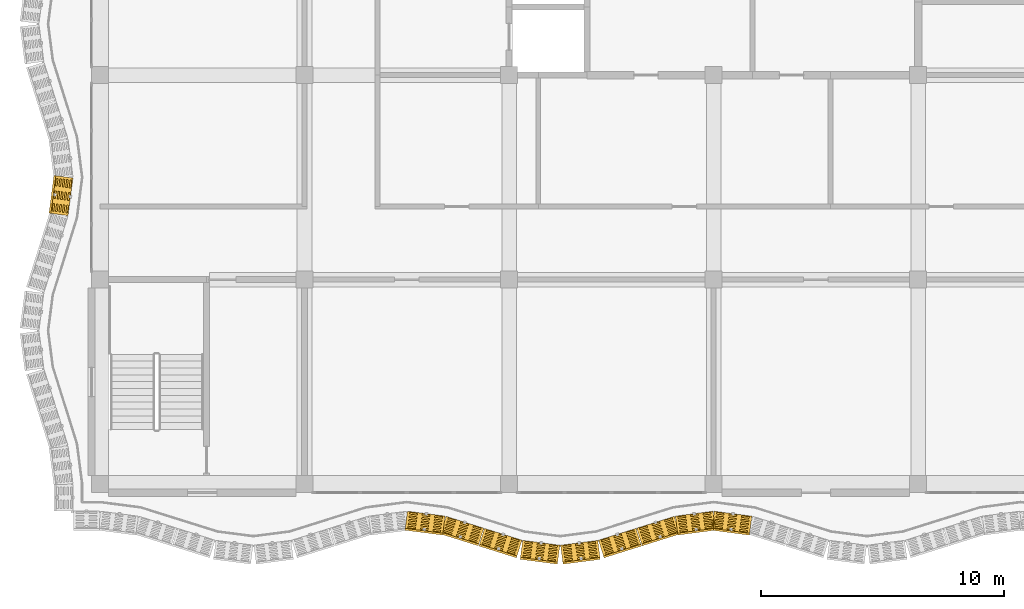
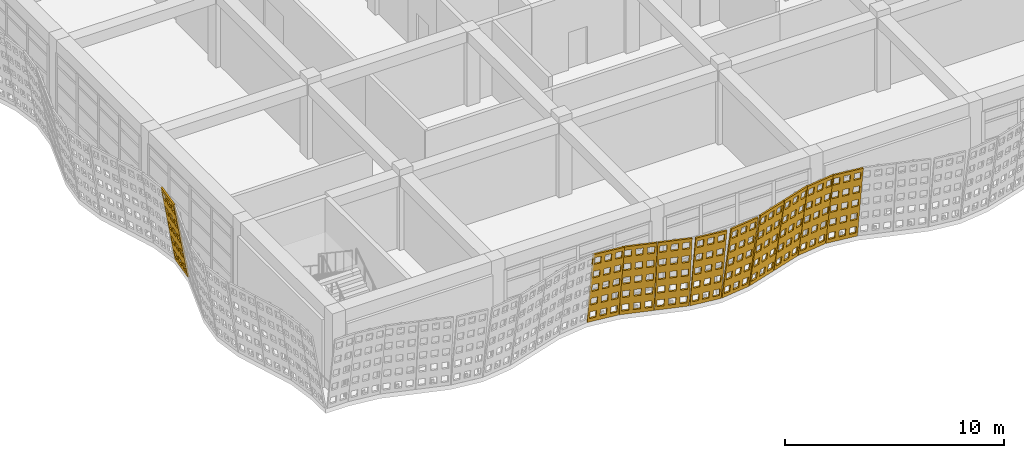
# One storey, part 150 of 163: 10 coverings.
"""IFC4 building model written with IfcOpenShell, lengths in metres."""

from ifc_helpers import new_model, si_unit, direction, frame, origin, place, context, subcontext, project, spatial, polyline, outline, extrude, material, layer, layer_set, type_object, element, save


model = new_model("IFC4")

# Units and contexts
model_context = context("Model", 3, precision=1e-05, world=origin(), true_north=direction((0.0, 1.0)))
body_context = subcontext(model_context, "Body", "Model", "MODEL_VIEW")
ifc_project = project(units=[si_unit("LENGTHUNIT", "METRE"), si_unit("AREAUNIT", "SQUARE_METRE"), si_unit("VOLUMEUNIT", "CUBIC_METRE"), si_unit("PLANEANGLEUNIT", "RADIAN"), si_unit("MASSUNIT", "GRAM", prefix="KILO")], contexts=[model_context])

# Site, building, storey
site_placement = place(None, origin())
site = spatial("IfcSite", under=ifc_project, at=site_placement, CompositionType="ELEMENT")
building_placement = place(site_placement, origin())
building = spatial("IfcBuilding", under=site, at=building_placement, Name="Rain Tree Exposition and Congress Centre", CompositionType="ELEMENT")
storey_placement = place(building_placement, frame((0.0, 0.0, 10.5)))
storey = spatial("IfcBuildingStorey", under=building, at=storey_placement, Name="L02", CompositionType="ELEMENT", Elevation=10.5)

# Coverings
ifc_material = material(Name="Perforated terracotta", Category="masonry")
ifc_layer = layer(ifc_material, 0.080078125)
ifc_layer_set = layer_set([ifc_layer], Name="Perforated terracotta")
covering_type = type_object("IfcCoveringType", Name="Terracotta screen 80", PredefinedType="CLADDING", material=ifc_layer_set)
covering_1_placement = place(storey_placement, frame((12.60009765625, -1.1875, 0.0), z_axis=(0.125342414455, 0.978282259159, 0.165085131233), x_axis=(-0.991891686382, 0.127086122318, 0.0)))
element("IfcCovering", 1, at=covering_1_placement, inside=storey, type_object=covering_type, Name="wing/screen/L02/009", PredefinedType="CLADDING", context=body_context, shape_type="SweptSolid", body=[
    extrude(outline(polyline([(-1.5732421875, 0.0), (-1.5732421875, 4.295166015625), (-0.014892578125, 4.295166015625), (-0.014892578125, 0.0), (-1.5732421875, 0.0)]), holes=[polyline([(-0.11376953125, 0.2216796875), (-0.11376953125, 0.63720703125), (-0.435791015625, 0.63720703125), (-0.435791015625, 0.2216796875), (-0.11376953125, 0.2216796875)]), polyline([(-0.11376953125, 1.080810546875), (-0.11376953125, 1.496337890625), (-0.435791015625, 1.496337890625), (-0.435791015625, 1.080810546875), (-0.11376953125, 1.080810546875)]), polyline([(-0.11376953125, 1.939697265625), (-0.11376953125, 2.35546875), (-0.435791015625, 2.35546875), (-0.435791015625, 1.939697265625), (-0.11376953125, 1.939697265625)]), polyline([(-0.11376953125, 2.798583984375), (-0.11376953125, 3.21435546875), (-0.435791015625, 3.21435546875), (-0.435791015625, 2.798583984375), (-0.11376953125, 2.798583984375)]), polyline([(-0.11376953125, 3.65771484375), (-0.11376953125, 4.073486328125), (-0.435791015625, 4.073486328125), (-0.435791015625, 3.65771484375), (-0.11376953125, 3.65771484375)]), polyline([(-0.633056640625, 0.2216796875), (-0.633056640625, 0.63720703125), (-0.955078125, 0.63720703125), (-0.955078125, 0.2216796875), (-0.633056640625, 0.2216796875)]), polyline([(-0.633056640625, 1.080810546875), (-0.633056640625, 1.496337890625), (-0.955078125, 1.496337890625), (-0.955078125, 1.080810546875), (-0.633056640625, 1.080810546875)]), polyline([(-0.633056640625, 1.939697265625), (-0.633056640625, 2.35546875), (-0.955078125, 2.35546875), (-0.955078125, 1.939697265625), (-0.633056640625, 1.939697265625)]), polyline([(-0.633056640625, 2.798583984375), (-0.633056640625, 3.21435546875), (-0.955078125, 3.21435546875), (-0.955078125, 2.798583984375), (-0.633056640625, 2.798583984375)]), polyline([(-0.633056640625, 3.65771484375), (-0.633056640625, 4.073486328125), (-0.955078125, 4.073486328125), (-0.955078125, 3.65771484375), (-0.633056640625, 3.65771484375)]), polyline([(-1.152587890625, 0.2216796875), (-1.152587890625, 0.63720703125), (-1.474609375, 0.63720703125), (-1.474609375, 0.2216796875), (-1.152587890625, 0.2216796875)]), polyline([(-1.152587890625, 1.080810546875), (-1.152587890625, 1.496337890625), (-1.474609375, 1.496337890625), (-1.474609375, 1.080810546875), (-1.152587890625, 1.080810546875)]), polyline([(-1.152587890625, 1.939697265625), (-1.152587890625, 2.35546875), (-1.474609375, 2.35546875), (-1.474609375, 1.939697265625), (-1.152587890625, 1.939697265625)]), polyline([(-1.152587890625, 2.798583984375), (-1.152587890625, 3.21435546875), (-1.474609375, 3.21435546875), (-1.474609375, 2.798583984375), (-1.152587890625, 2.798583984375)]), polyline([(-1.152587890625, 3.65771484375), (-1.152587890625, 4.073486328125), (-1.474609375, 4.073486328125), (-1.474609375, 3.65771484375), (-1.152587890625, 3.65771484375)])]), origin(), (0.0, 0.0, 1.0), 0.079833984375),
])
covering_2_placement = place(storey_placement, frame((14.175048828125, -1.392578125, 0.0), z_axis=(0.295717964052, 0.942029390639, 0.158529217842), x_axis=(-0.954094597562, 0.29950542383, 0.0)))
element("IfcCovering", 2, at=covering_2_placement, inside=storey, type_object=covering_type, Name="wing/screen/L02/010", PredefinedType="CLADDING", context=body_context, shape_type="SweptSolid", body=[
    extrude(outline(polyline([(-1.635986328125, 0.0), (-1.635986328125, 4.291259765625), (-0.014892578125, 4.291259765625), (-0.014892578125, 0.0), (-1.635986328125, 0.0)]), holes=[polyline([(-0.11767578125, 0.221435546875), (-0.11767578125, 0.63671875), (-0.45263671875, 0.63671875), (-0.45263671875, 0.221435546875), (-0.11767578125, 0.221435546875)]), polyline([(-0.11767578125, 1.07958984375), (-0.11767578125, 1.4951171875), (-0.45263671875, 1.4951171875), (-0.45263671875, 1.07958984375), (-0.11767578125, 1.07958984375)]), polyline([(-0.11767578125, 1.93798828125), (-0.11767578125, 2.353271484375), (-0.45263671875, 2.353271484375), (-0.45263671875, 1.93798828125), (-0.11767578125, 1.93798828125)]), polyline([(-0.11767578125, 2.796142578125), (-0.11767578125, 3.21142578125), (-0.45263671875, 3.21142578125), (-0.45263671875, 2.796142578125), (-0.11767578125, 2.796142578125)]), polyline([(-0.11767578125, 3.654541015625), (-0.11767578125, 4.06982421875), (-0.45263671875, 4.06982421875), (-0.45263671875, 3.654541015625), (-0.11767578125, 3.654541015625)]), polyline([(-0.657958984375, 0.221435546875), (-0.657958984375, 0.63671875), (-0.992919921875, 0.63671875), (-0.992919921875, 0.221435546875), (-0.657958984375, 0.221435546875)]), polyline([(-0.657958984375, 1.07958984375), (-0.657958984375, 1.4951171875), (-0.992919921875, 1.4951171875), (-0.992919921875, 1.07958984375), (-0.657958984375, 1.07958984375)]), polyline([(-0.657958984375, 1.93798828125), (-0.657958984375, 2.353271484375), (-0.992919921875, 2.353271484375), (-0.992919921875, 1.93798828125), (-0.657958984375, 1.93798828125)]), polyline([(-0.657958984375, 2.796142578125), (-0.657958984375, 3.21142578125), (-0.992919921875, 3.21142578125), (-0.992919921875, 2.796142578125), (-0.657958984375, 2.796142578125)]), polyline([(-0.657958984375, 3.654541015625), (-0.657958984375, 4.06982421875), (-0.992919921875, 4.06982421875), (-0.992919921875, 3.654541015625), (-0.657958984375, 3.654541015625)]), polyline([(-1.1982421875, 0.221435546875), (-1.1982421875, 0.63671875), (-1.533203125, 0.63671875), (-1.533203125, 0.221435546875), (-1.1982421875, 0.221435546875)]), polyline([(-1.1982421875, 1.07958984375), (-1.1982421875, 1.4951171875), (-1.533203125, 1.4951171875), (-1.533203125, 1.07958984375), (-1.1982421875, 1.07958984375)]), polyline([(-1.1982421875, 1.93798828125), (-1.1982421875, 2.353271484375), (-1.533203125, 2.353271484375), (-1.533203125, 1.93798828125), (-1.1982421875, 1.93798828125)]), polyline([(-1.1982421875, 2.796142578125), (-1.1982421875, 3.21142578125), (-1.533203125, 3.21142578125), (-1.533203125, 2.796142578125), (-1.1982421875, 2.796142578125)]), polyline([(-1.1982421875, 3.654541015625), (-1.1982421875, 4.06982421875), (-1.533203125, 4.06982421875), (-1.533203125, 3.654541015625), (-1.1982421875, 3.654541015625)])]), origin(), (0.0, 0.0, 1.0), 0.080078125),
])
covering_3_placement = place(storey_placement, frame((15.75, -1.8876953125, 0.0), z_axis=(0.295717964052, 0.942029390639, 0.158529217842), x_axis=(-0.954094597562, 0.29950542383, 0.0)))
element("IfcCovering", 3, at=covering_3_placement, inside=storey, type_object=covering_type, Name="wing/screen/L02/011", PredefinedType="CLADDING", context=body_context, shape_type="SweptSolid", body=[
    extrude(outline(polyline([(-1.62890625, 0.0), (-1.62890625, 4.291259765625), (-0.014892578125, 4.291259765625), (-0.014892578125, 0.0), (-1.62890625, 0.0)]), holes=[polyline([(-0.1171875, 0.221435546875), (-0.1171875, 0.63671875), (-0.45068359375, 0.63671875), (-0.45068359375, 0.221435546875), (-0.1171875, 0.221435546875)]), polyline([(-0.1171875, 1.07958984375), (-0.1171875, 1.4951171875), (-0.45068359375, 1.4951171875), (-0.45068359375, 1.07958984375), (-0.1171875, 1.07958984375)]), polyline([(-0.1171875, 1.93798828125), (-0.1171875, 2.353271484375), (-0.45068359375, 2.353271484375), (-0.45068359375, 1.93798828125), (-0.1171875, 1.93798828125)]), polyline([(-0.1171875, 2.796142578125), (-0.1171875, 3.21142578125), (-0.45068359375, 3.21142578125), (-0.45068359375, 2.796142578125), (-0.1171875, 2.796142578125)]), polyline([(-0.1171875, 3.654541015625), (-0.1171875, 4.06982421875), (-0.45068359375, 4.06982421875), (-0.45068359375, 3.654541015625), (-0.1171875, 3.654541015625)]), polyline([(-0.6552734375, 0.221435546875), (-0.6552734375, 0.63671875), (-0.98876953125, 0.63671875), (-0.98876953125, 0.221435546875), (-0.6552734375, 0.221435546875)]), polyline([(-0.6552734375, 1.07958984375), (-0.6552734375, 1.4951171875), (-0.98876953125, 1.4951171875), (-0.98876953125, 1.07958984375), (-0.6552734375, 1.07958984375)]), polyline([(-0.6552734375, 1.93798828125), (-0.6552734375, 2.353271484375), (-0.98876953125, 2.353271484375), (-0.98876953125, 1.93798828125), (-0.6552734375, 1.93798828125)]), polyline([(-0.6552734375, 2.796142578125), (-0.6552734375, 3.21142578125), (-0.98876953125, 3.21142578125), (-0.98876953125, 2.796142578125), (-0.6552734375, 2.796142578125)]), polyline([(-0.6552734375, 3.654541015625), (-0.6552734375, 4.06982421875), (-0.98876953125, 4.06982421875), (-0.98876953125, 3.654541015625), (-0.6552734375, 3.654541015625)]), polyline([(-1.193115234375, 0.221435546875), (-1.193115234375, 0.63671875), (-1.526611328125, 0.63671875), (-1.526611328125, 0.221435546875), (-1.193115234375, 0.221435546875)]), polyline([(-1.193115234375, 1.07958984375), (-1.193115234375, 1.4951171875), (-1.526611328125, 1.4951171875), (-1.526611328125, 1.07958984375), (-1.193115234375, 1.07958984375)]), polyline([(-1.193115234375, 1.93798828125), (-1.193115234375, 2.353271484375), (-1.526611328125, 2.353271484375), (-1.526611328125, 1.93798828125), (-1.193115234375, 1.93798828125)]), polyline([(-1.193115234375, 2.796142578125), (-1.193115234375, 3.21142578125), (-1.526611328125, 3.21142578125), (-1.526611328125, 2.796142578125), (-1.193115234375, 2.796142578125)]), polyline([(-1.193115234375, 3.654541015625), (-1.193115234375, 4.06982421875), (-1.526611328125, 4.06982421875), (-1.526611328125, 3.654541015625), (-1.193115234375, 3.654541015625)])]), origin(), (0.0, 0.0, 1.0), 0.080078125),
])
covering_4_placement = place(storey_placement, frame((17.324951171875, -2.382568359375, 0.0), z_axis=(0.127967328105, 0.978036007662, 0.16452942185), x_axis=(-0.991548658387, 0.129735338481, 0.0)))
element("IfcCovering", 4, at=covering_4_placement, inside=storey, type_object=covering_type, Name="wing/screen/L02/012", PredefinedType="CLADDING", context=body_context, shape_type="SweptSolid", body=[
    extrude(outline(polyline([(-1.56298828125, 0.0), (-1.56298828125, 4.295166015625), (-0.02197265625, 4.295166015625), (-0.02197265625, 0.0), (-1.56298828125, 0.0)]), holes=[polyline([(-0.11962890625, 0.2216796875), (-0.11962890625, 0.63720703125), (-0.43798828125, 0.63720703125), (-0.43798828125, 0.2216796875), (-0.11962890625, 0.2216796875)]), polyline([(-0.11962890625, 1.080810546875), (-0.11962890625, 1.496337890625), (-0.43798828125, 1.496337890625), (-0.43798828125, 1.080810546875), (-0.11962890625, 1.080810546875)]), polyline([(-0.11962890625, 1.939697265625), (-0.11962890625, 2.35546875), (-0.43798828125, 2.35546875), (-0.43798828125, 1.939697265625), (-0.11962890625, 1.939697265625)]), polyline([(-0.11962890625, 2.798583984375), (-0.11962890625, 3.21435546875), (-0.43798828125, 3.21435546875), (-0.43798828125, 2.798583984375), (-0.11962890625, 2.798583984375)]), polyline([(-0.11962890625, 3.65771484375), (-0.11962890625, 4.073486328125), (-0.43798828125, 4.073486328125), (-0.43798828125, 3.65771484375), (-0.11962890625, 3.65771484375)]), polyline([(-0.63330078125, 0.2216796875), (-0.63330078125, 0.63720703125), (-0.95166015625, 0.63720703125), (-0.95166015625, 0.2216796875), (-0.63330078125, 0.2216796875)]), polyline([(-0.63330078125, 1.080810546875), (-0.63330078125, 1.496337890625), (-0.95166015625, 1.496337890625), (-0.95166015625, 1.080810546875), (-0.63330078125, 1.080810546875)]), polyline([(-0.63330078125, 1.939697265625), (-0.63330078125, 2.35546875), (-0.95166015625, 2.35546875), (-0.95166015625, 1.939697265625), (-0.63330078125, 1.939697265625)]), polyline([(-0.63330078125, 2.798583984375), (-0.63330078125, 3.21435546875), (-0.95166015625, 3.21435546875), (-0.95166015625, 2.798583984375), (-0.63330078125, 2.798583984375)]), polyline([(-0.63330078125, 3.65771484375), (-0.63330078125, 4.073486328125), (-0.95166015625, 4.073486328125), (-0.95166015625, 3.65771484375), (-0.63330078125, 3.65771484375)]), polyline([(-1.146728515625, 0.2216796875), (-1.146728515625, 0.63720703125), (-1.46533203125, 0.63720703125), (-1.46533203125, 0.2216796875), (-1.146728515625, 0.2216796875)]), polyline([(-1.146728515625, 1.080810546875), (-1.146728515625, 1.496337890625), (-1.46533203125, 1.496337890625), (-1.46533203125, 1.080810546875), (-1.146728515625, 1.080810546875)]), polyline([(-1.146728515625, 1.939697265625), (-1.146728515625, 2.35546875), (-1.46533203125, 2.35546875), (-1.46533203125, 1.939697265625), (-1.146728515625, 1.939697265625)]), polyline([(-1.146728515625, 2.798583984375), (-1.146728515625, 3.21435546875), (-1.46533203125, 3.21435546875), (-1.46533203125, 2.798583984375), (-1.146728515625, 2.798583984375)]), polyline([(-1.146728515625, 3.65771484375), (-1.146728515625, 4.073486328125), (-1.46533203125, 4.073486328125), (-1.46533203125, 3.65771484375), (-1.146728515625, 3.65771484375)])]), origin(), (0.0, 0.0, 1.0), 0.080078125),
])
covering_5_placement = place(storey_placement, frame((18.89990234375, -2.587646484375, 0.0), z_axis=(-0.124968640969, 0.978413018317, 0.164592844203), x_axis=(-0.991941518713, -0.126696580272, 0.0)))
element("IfcCovering", 5, at=covering_5_placement, inside=storey, type_object=covering_type, Name="wing/screen/L02/013", PredefinedType="CLADDING", context=body_context, shape_type="SweptSolid", body=[
    extrude(outline(polyline([(-1.56640625, 0.0), (-1.56640625, 4.295166015625), (-0.025390625, 4.295166015625), (-0.025390625, 0.0), (-1.56640625, 0.0)]), holes=[polyline([(-0.123046875, 0.2216796875), (-0.123046875, 0.63720703125), (-0.44140625, 0.63720703125), (-0.44140625, 0.2216796875), (-0.123046875, 0.2216796875)]), polyline([(-0.123046875, 1.080810546875), (-0.123046875, 1.496337890625), (-0.44140625, 1.496337890625), (-0.44140625, 1.080810546875), (-0.123046875, 1.080810546875)]), polyline([(-0.123046875, 1.939697265625), (-0.123046875, 2.35546875), (-0.44140625, 2.35546875), (-0.44140625, 1.939697265625), (-0.123046875, 1.939697265625)]), polyline([(-0.123046875, 2.798583984375), (-0.123046875, 3.21435546875), (-0.44140625, 3.21435546875), (-0.44140625, 2.798583984375), (-0.123046875, 2.798583984375)]), polyline([(-0.123046875, 3.65771484375), (-0.123046875, 4.073486328125), (-0.44140625, 4.073486328125), (-0.44140625, 3.65771484375), (-0.123046875, 3.65771484375)]), polyline([(-0.63671875, 0.2216796875), (-0.63671875, 0.63720703125), (-0.955078125, 0.63720703125), (-0.955078125, 0.2216796875), (-0.63671875, 0.2216796875)]), polyline([(-0.63671875, 1.080810546875), (-0.63671875, 1.496337890625), (-0.955078125, 1.496337890625), (-0.955078125, 1.080810546875), (-0.63671875, 1.080810546875)]), polyline([(-0.63671875, 1.939697265625), (-0.63671875, 2.35546875), (-0.955078125, 2.35546875), (-0.955078125, 1.939697265625), (-0.63671875, 1.939697265625)]), polyline([(-0.63671875, 2.798583984375), (-0.63671875, 3.21435546875), (-0.955078125, 3.21435546875), (-0.955078125, 2.798583984375), (-0.63671875, 2.798583984375)]), polyline([(-0.63671875, 3.65771484375), (-0.63671875, 4.073486328125), (-0.955078125, 4.073486328125), (-0.955078125, 3.65771484375), (-0.63671875, 3.65771484375)]), polyline([(-1.150146484375, 0.2216796875), (-1.150146484375, 0.63720703125), (-1.46875, 0.63720703125), (-1.46875, 0.2216796875), (-1.150146484375, 0.2216796875)]), polyline([(-1.150146484375, 1.080810546875), (-1.150146484375, 1.496337890625), (-1.46875, 1.496337890625), (-1.46875, 1.080810546875), (-1.150146484375, 1.080810546875)]), polyline([(-1.150146484375, 1.939697265625), (-1.150146484375, 2.35546875), (-1.46875, 2.35546875), (-1.46875, 1.939697265625), (-1.150146484375, 1.939697265625)]), polyline([(-1.150146484375, 2.798583984375), (-1.150146484375, 3.21435546875), (-1.46875, 3.21435546875), (-1.46875, 2.798583984375), (-1.150146484375, 2.798583984375)]), polyline([(-1.150146484375, 3.65771484375), (-1.150146484375, 4.073486328125), (-1.46875, 4.073486328125), (-1.46875, 3.65771484375), (-1.150146484375, 3.65771484375)])]), origin(), (0.0, 0.0, 1.0), 0.080078125),
])
covering_6_placement = place(storey_placement, frame((20.47509765625, -2.382568359375, 0.0), z_axis=(-0.295717964052, 0.942029390639, 0.158529217842), x_axis=(-0.954094597562, -0.29950542383, 0.0)))
element("IfcCovering", 6, at=covering_6_placement, inside=storey, type_object=covering_type, Name="wing/screen/L02/014", PredefinedType="CLADDING", context=body_context, shape_type="SweptSolid", body=[
    extrude(outline(polyline([(-1.635986328125, 0.0), (-1.635986328125, 4.291259765625), (-0.02197265625, 4.291259765625), (-0.02197265625, 0.0), (-1.635986328125, 0.0)]), holes=[polyline([(-0.124267578125, 0.221435546875), (-0.124267578125, 0.63671875), (-0.457763671875, 0.63671875), (-0.457763671875, 0.221435546875), (-0.124267578125, 0.221435546875)]), polyline([(-0.124267578125, 1.07958984375), (-0.124267578125, 1.4951171875), (-0.457763671875, 1.4951171875), (-0.457763671875, 1.07958984375), (-0.124267578125, 1.07958984375)]), polyline([(-0.124267578125, 1.93798828125), (-0.124267578125, 2.353271484375), (-0.457763671875, 2.353271484375), (-0.457763671875, 1.93798828125), (-0.124267578125, 1.93798828125)]), polyline([(-0.124267578125, 2.796142578125), (-0.124267578125, 3.21142578125), (-0.457763671875, 3.21142578125), (-0.457763671875, 2.796142578125), (-0.124267578125, 2.796142578125)]), polyline([(-0.124267578125, 3.654541015625), (-0.124267578125, 4.06982421875), (-0.457763671875, 4.06982421875), (-0.457763671875, 3.654541015625), (-0.124267578125, 3.654541015625)]), polyline([(-0.662109375, 0.221435546875), (-0.662109375, 0.63671875), (-0.995849609375, 0.63671875), (-0.995849609375, 0.221435546875), (-0.662109375, 0.221435546875)]), polyline([(-0.662109375, 1.07958984375), (-0.662109375, 1.4951171875), (-0.995849609375, 1.4951171875), (-0.995849609375, 1.07958984375), (-0.662109375, 1.07958984375)]), polyline([(-0.662109375, 1.93798828125), (-0.662109375, 2.353271484375), (-0.995849609375, 2.353271484375), (-0.995849609375, 1.93798828125), (-0.662109375, 1.93798828125)]), polyline([(-0.662109375, 2.796142578125), (-0.662109375, 3.21142578125), (-0.995849609375, 3.21142578125), (-0.995849609375, 2.796142578125), (-0.662109375, 2.796142578125)]), polyline([(-0.662109375, 3.654541015625), (-0.662109375, 4.06982421875), (-0.995849609375, 4.06982421875), (-0.995849609375, 3.654541015625), (-0.662109375, 3.654541015625)]), polyline([(-1.2001953125, 0.221435546875), (-1.2001953125, 0.63671875), (-1.53369140625, 0.63671875), (-1.53369140625, 0.221435546875), (-1.2001953125, 0.221435546875)]), polyline([(-1.2001953125, 1.07958984375), (-1.2001953125, 1.4951171875), (-1.53369140625, 1.4951171875), (-1.53369140625, 1.07958984375), (-1.2001953125, 1.07958984375)]), polyline([(-1.2001953125, 1.93798828125), (-1.2001953125, 2.353271484375), (-1.53369140625, 2.353271484375), (-1.53369140625, 1.93798828125), (-1.2001953125, 1.93798828125)]), polyline([(-1.2001953125, 2.796142578125), (-1.2001953125, 3.21142578125), (-1.53369140625, 3.21142578125), (-1.53369140625, 2.796142578125), (-1.2001953125, 2.796142578125)]), polyline([(-1.2001953125, 3.654541015625), (-1.2001953125, 4.06982421875), (-1.53369140625, 4.06982421875), (-1.53369140625, 3.654541015625), (-1.2001953125, 3.654541015625)])]), origin(), (0.0, 0.0, 1.0), 0.080078125),
])
covering_7_placement = place(storey_placement, frame((22.050048828125, -1.8876953125, 0.0), z_axis=(-0.295717964052, 0.942029390639, 0.158529217842), x_axis=(-0.954094597562, -0.29950542383, 0.0)))
element("IfcCovering", 7, at=covering_7_placement, inside=storey, type_object=covering_type, Name="wing/screen/L02/015", PredefinedType="CLADDING", context=body_context, shape_type="SweptSolid", body=[
    extrude(outline(polyline([(-1.635986328125, 0.0), (-1.635986328125, 4.291259765625), (-0.014892578125, 4.291259765625), (-0.014892578125, 0.0), (-1.635986328125, 0.0)]), holes=[polyline([(-0.11767578125, 0.221435546875), (-0.11767578125, 0.63671875), (-0.45263671875, 0.63671875), (-0.45263671875, 0.221435546875), (-0.11767578125, 0.221435546875)]), polyline([(-0.11767578125, 1.07958984375), (-0.11767578125, 1.4951171875), (-0.45263671875, 1.4951171875), (-0.45263671875, 1.07958984375), (-0.11767578125, 1.07958984375)]), polyline([(-0.11767578125, 1.93798828125), (-0.11767578125, 2.353271484375), (-0.45263671875, 2.353271484375), (-0.45263671875, 1.93798828125), (-0.11767578125, 1.93798828125)]), polyline([(-0.11767578125, 2.796142578125), (-0.11767578125, 3.21142578125), (-0.45263671875, 3.21142578125), (-0.45263671875, 2.796142578125), (-0.11767578125, 2.796142578125)]), polyline([(-0.11767578125, 3.654541015625), (-0.11767578125, 4.06982421875), (-0.45263671875, 4.06982421875), (-0.45263671875, 3.654541015625), (-0.11767578125, 3.654541015625)]), polyline([(-0.657958984375, 0.221435546875), (-0.657958984375, 0.63671875), (-0.992919921875, 0.63671875), (-0.992919921875, 0.221435546875), (-0.657958984375, 0.221435546875)]), polyline([(-0.657958984375, 1.07958984375), (-0.657958984375, 1.4951171875), (-0.992919921875, 1.4951171875), (-0.992919921875, 1.07958984375), (-0.657958984375, 1.07958984375)]), polyline([(-0.657958984375, 1.93798828125), (-0.657958984375, 2.353271484375), (-0.992919921875, 2.353271484375), (-0.992919921875, 1.93798828125), (-0.657958984375, 1.93798828125)]), polyline([(-0.657958984375, 2.796142578125), (-0.657958984375, 3.21142578125), (-0.992919921875, 3.21142578125), (-0.992919921875, 2.796142578125), (-0.657958984375, 2.796142578125)]), polyline([(-0.657958984375, 3.654541015625), (-0.657958984375, 4.06982421875), (-0.992919921875, 4.06982421875), (-0.992919921875, 3.654541015625), (-0.657958984375, 3.654541015625)]), polyline([(-1.1982421875, 0.221435546875), (-1.1982421875, 0.63671875), (-1.533203125, 0.63671875), (-1.533203125, 0.221435546875), (-1.1982421875, 0.221435546875)]), polyline([(-1.1982421875, 1.07958984375), (-1.1982421875, 1.4951171875), (-1.533203125, 1.4951171875), (-1.533203125, 1.07958984375), (-1.1982421875, 1.07958984375)]), polyline([(-1.1982421875, 1.93798828125), (-1.1982421875, 2.353271484375), (-1.533203125, 2.353271484375), (-1.533203125, 1.93798828125), (-1.1982421875, 1.93798828125)]), polyline([(-1.1982421875, 2.796142578125), (-1.1982421875, 3.21142578125), (-1.533203125, 3.21142578125), (-1.533203125, 2.796142578125), (-1.1982421875, 2.796142578125)]), polyline([(-1.1982421875, 3.654541015625), (-1.1982421875, 4.06982421875), (-1.533203125, 4.06982421875), (-1.533203125, 3.654541015625), (-1.1982421875, 3.654541015625)])]), origin(), (0.0, 0.0, 1.0), 0.080078125),
])
covering_8_placement = place(storey_placement, frame((23.625, -1.392578125, 0.0), z_axis=(-0.127967328105, 0.978036007662, 0.16452942185), x_axis=(-0.991548658387, -0.129735338481, 0.0)))
element("IfcCovering", 8, at=covering_8_placement, inside=storey, type_object=covering_type, Name="wing/screen/L02/016", PredefinedType="CLADDING", context=body_context, shape_type="SweptSolid", body=[
    extrude(outline(polyline([(-1.5732421875, 0.0), (-1.5732421875, 4.295166015625), (-0.014892578125, 4.295166015625), (-0.014892578125, 0.0), (-1.5732421875, 0.0)]), holes=[polyline([(-0.11376953125, 0.2216796875), (-0.11376953125, 0.63720703125), (-0.435791015625, 0.63720703125), (-0.435791015625, 0.2216796875), (-0.11376953125, 0.2216796875)]), polyline([(-0.11376953125, 1.080810546875), (-0.11376953125, 1.496337890625), (-0.435791015625, 1.496337890625), (-0.435791015625, 1.080810546875), (-0.11376953125, 1.080810546875)]), polyline([(-0.11376953125, 1.939697265625), (-0.11376953125, 2.35546875), (-0.435791015625, 2.35546875), (-0.435791015625, 1.939697265625), (-0.11376953125, 1.939697265625)]), polyline([(-0.11376953125, 2.798583984375), (-0.11376953125, 3.21435546875), (-0.435791015625, 3.21435546875), (-0.435791015625, 2.798583984375), (-0.11376953125, 2.798583984375)]), polyline([(-0.11376953125, 3.65771484375), (-0.11376953125, 4.073486328125), (-0.435791015625, 4.073486328125), (-0.435791015625, 3.65771484375), (-0.11376953125, 3.65771484375)]), polyline([(-0.633056640625, 0.2216796875), (-0.633056640625, 0.63720703125), (-0.955078125, 0.63720703125), (-0.955078125, 0.2216796875), (-0.633056640625, 0.2216796875)]), polyline([(-0.633056640625, 1.080810546875), (-0.633056640625, 1.496337890625), (-0.955078125, 1.496337890625), (-0.955078125, 1.080810546875), (-0.633056640625, 1.080810546875)]), polyline([(-0.633056640625, 1.939697265625), (-0.633056640625, 2.35546875), (-0.955078125, 2.35546875), (-0.955078125, 1.939697265625), (-0.633056640625, 1.939697265625)]), polyline([(-0.633056640625, 2.798583984375), (-0.633056640625, 3.21435546875), (-0.955078125, 3.21435546875), (-0.955078125, 2.798583984375), (-0.633056640625, 2.798583984375)]), polyline([(-0.633056640625, 3.65771484375), (-0.633056640625, 4.073486328125), (-0.955078125, 4.073486328125), (-0.955078125, 3.65771484375), (-0.633056640625, 3.65771484375)]), polyline([(-1.152587890625, 0.2216796875), (-1.152587890625, 0.63720703125), (-1.474609375, 0.63720703125), (-1.474609375, 0.2216796875), (-1.152587890625, 0.2216796875)]), polyline([(-1.152587890625, 1.080810546875), (-1.152587890625, 1.496337890625), (-1.474609375, 1.496337890625), (-1.474609375, 1.080810546875), (-1.152587890625, 1.080810546875)]), polyline([(-1.152587890625, 1.939697265625), (-1.152587890625, 2.35546875), (-1.474609375, 2.35546875), (-1.474609375, 1.939697265625), (-1.152587890625, 1.939697265625)]), polyline([(-1.152587890625, 2.798583984375), (-1.152587890625, 3.21435546875), (-1.474609375, 3.21435546875), (-1.474609375, 2.798583984375), (-1.152587890625, 2.798583984375)]), polyline([(-1.152587890625, 3.65771484375), (-1.152587890625, 4.073486328125), (-1.474609375, 4.073486328125), (-1.474609375, 3.65771484375), (-1.152587890625, 3.65771484375)])]), origin(), (0.0, 0.0, 1.0), 0.080078125),
])
covering_9_placement = place(storey_placement, frame((25.199951171875, -1.1875, 0.0), z_axis=(0.128349774249, 0.9779030419, 0.165021138321), x_axis=(-0.991496427865, 0.130133906157, 0.0)))
element("IfcCovering", 9, at=covering_9_placement, inside=storey, type_object=covering_type, Name="wing/screen/L02/017", PredefinedType="CLADDING", context=body_context, shape_type="SweptSolid", body=[
    extrude(outline(polyline([(-1.5732421875, 0.0), (-1.5732421875, 4.295166015625), (-0.014892578125, 4.295166015625), (-0.014892578125, 0.0), (-1.5732421875, 0.0)]), holes=[polyline([(-0.11376953125, 0.2216796875), (-0.11376953125, 0.63720703125), (-0.435791015625, 0.63720703125), (-0.435791015625, 0.2216796875), (-0.11376953125, 0.2216796875)]), polyline([(-0.11376953125, 1.080810546875), (-0.11376953125, 1.496337890625), (-0.435791015625, 1.496337890625), (-0.435791015625, 1.080810546875), (-0.11376953125, 1.080810546875)]), polyline([(-0.11376953125, 1.939697265625), (-0.11376953125, 2.35546875), (-0.435791015625, 2.35546875), (-0.435791015625, 1.939697265625), (-0.11376953125, 1.939697265625)]), polyline([(-0.11376953125, 2.798583984375), (-0.11376953125, 3.21435546875), (-0.435791015625, 3.21435546875), (-0.435791015625, 2.798583984375), (-0.11376953125, 2.798583984375)]), polyline([(-0.11376953125, 3.65771484375), (-0.11376953125, 4.073486328125), (-0.435791015625, 4.073486328125), (-0.435791015625, 3.65771484375), (-0.11376953125, 3.65771484375)]), polyline([(-0.633056640625, 0.2216796875), (-0.633056640625, 0.63720703125), (-0.955078125, 0.63720703125), (-0.955078125, 0.2216796875), (-0.633056640625, 0.2216796875)]), polyline([(-0.633056640625, 1.080810546875), (-0.633056640625, 1.496337890625), (-0.955078125, 1.496337890625), (-0.955078125, 1.080810546875), (-0.633056640625, 1.080810546875)]), polyline([(-0.633056640625, 1.939697265625), (-0.633056640625, 2.35546875), (-0.955078125, 2.35546875), (-0.955078125, 1.939697265625), (-0.633056640625, 1.939697265625)]), polyline([(-0.633056640625, 2.798583984375), (-0.633056640625, 3.21435546875), (-0.955078125, 3.21435546875), (-0.955078125, 2.798583984375), (-0.633056640625, 2.798583984375)]), polyline([(-0.633056640625, 3.65771484375), (-0.633056640625, 4.073486328125), (-0.955078125, 4.073486328125), (-0.955078125, 3.65771484375), (-0.633056640625, 3.65771484375)]), polyline([(-1.152587890625, 0.2216796875), (-1.152587890625, 0.63720703125), (-1.474609375, 0.63720703125), (-1.474609375, 0.2216796875), (-1.152587890625, 0.2216796875)]), polyline([(-1.152587890625, 1.080810546875), (-1.152587890625, 1.496337890625), (-1.474609375, 1.496337890625), (-1.474609375, 1.080810546875), (-1.152587890625, 1.080810546875)]), polyline([(-1.152587890625, 1.939697265625), (-1.152587890625, 2.35546875), (-1.474609375, 2.35546875), (-1.474609375, 1.939697265625), (-1.152587890625, 1.939697265625)]), polyline([(-1.152587890625, 2.798583984375), (-1.152587890625, 3.21435546875), (-1.474609375, 3.21435546875), (-1.474609375, 2.798583984375), (-1.152587890625, 2.798583984375)]), polyline([(-1.152587890625, 3.65771484375), (-1.152587890625, 4.073486328125), (-1.474609375, 4.073486328125), (-1.474609375, 3.65771484375), (-1.152587890625, 3.65771484375)])]), origin(), (0.0, 0.0, 1.0), 0.079833984375),
])
covering_10_placement = place(storey_placement, frame((-1.1875, 12.60009765625, 0.0), z_axis=(0.9779030419, -0.128349774249, 0.165021138321), x_axis=(0.130133906157, 0.991496427865, 0.0)))
element("IfcCovering", 10, at=covering_10_placement, inside=storey, type_object=covering_type, Name="wing/screen/L02/127", PredefinedType="CLADDING", context=body_context, shape_type="SweptSolid", body=[
    extrude(outline(polyline([(-1.5732421875, 0.0), (-1.5732421875, 4.295166015625), (-0.014892578125, 4.295166015625), (-0.014892578125, 0.0), (-1.5732421875, 0.0)]), holes=[polyline([(-0.11376953125, 0.2216796875), (-0.11376953125, 0.63720703125), (-0.435791015625, 0.63720703125), (-0.435791015625, 0.2216796875), (-0.11376953125, 0.2216796875)]), polyline([(-0.11376953125, 1.080810546875), (-0.11376953125, 1.496337890625), (-0.435791015625, 1.496337890625), (-0.435791015625, 1.080810546875), (-0.11376953125, 1.080810546875)]), polyline([(-0.11376953125, 1.939697265625), (-0.11376953125, 2.35546875), (-0.435791015625, 2.35546875), (-0.435791015625, 1.939697265625), (-0.11376953125, 1.939697265625)]), polyline([(-0.11376953125, 2.798583984375), (-0.11376953125, 3.21435546875), (-0.435791015625, 3.21435546875), (-0.435791015625, 2.798583984375), (-0.11376953125, 2.798583984375)]), polyline([(-0.11376953125, 3.65771484375), (-0.11376953125, 4.073486328125), (-0.435791015625, 4.073486328125), (-0.435791015625, 3.65771484375), (-0.11376953125, 3.65771484375)]), polyline([(-0.633056640625, 0.2216796875), (-0.633056640625, 0.63720703125), (-0.955078125, 0.63720703125), (-0.955078125, 0.2216796875), (-0.633056640625, 0.2216796875)]), polyline([(-0.633056640625, 1.080810546875), (-0.633056640625, 1.496337890625), (-0.955078125, 1.496337890625), (-0.955078125, 1.080810546875), (-0.633056640625, 1.080810546875)]), polyline([(-0.633056640625, 1.939697265625), (-0.633056640625, 2.35546875), (-0.955078125, 2.35546875), (-0.955078125, 1.939697265625), (-0.633056640625, 1.939697265625)]), polyline([(-0.633056640625, 2.798583984375), (-0.633056640625, 3.21435546875), (-0.955078125, 3.21435546875), (-0.955078125, 2.798583984375), (-0.633056640625, 2.798583984375)]), polyline([(-0.633056640625, 3.65771484375), (-0.633056640625, 4.073486328125), (-0.955078125, 4.073486328125), (-0.955078125, 3.65771484375), (-0.633056640625, 3.65771484375)]), polyline([(-1.152587890625, 0.2216796875), (-1.152587890625, 0.63720703125), (-1.474609375, 0.63720703125), (-1.474609375, 0.2216796875), (-1.152587890625, 0.2216796875)]), polyline([(-1.152587890625, 1.080810546875), (-1.152587890625, 1.496337890625), (-1.474609375, 1.496337890625), (-1.474609375, 1.080810546875), (-1.152587890625, 1.080810546875)]), polyline([(-1.152587890625, 1.939697265625), (-1.152587890625, 2.35546875), (-1.474609375, 2.35546875), (-1.474609375, 1.939697265625), (-1.152587890625, 1.939697265625)]), polyline([(-1.152587890625, 2.798583984375), (-1.152587890625, 3.21435546875), (-1.474609375, 3.21435546875), (-1.474609375, 2.798583984375), (-1.152587890625, 2.798583984375)]), polyline([(-1.152587890625, 3.65771484375), (-1.152587890625, 4.073486328125), (-1.474609375, 4.073486328125), (-1.474609375, 3.65771484375), (-1.152587890625, 3.65771484375)])]), origin(), (0.0, 0.0, 1.0), 0.079833984375),
])

save(model, "model.ifc")
